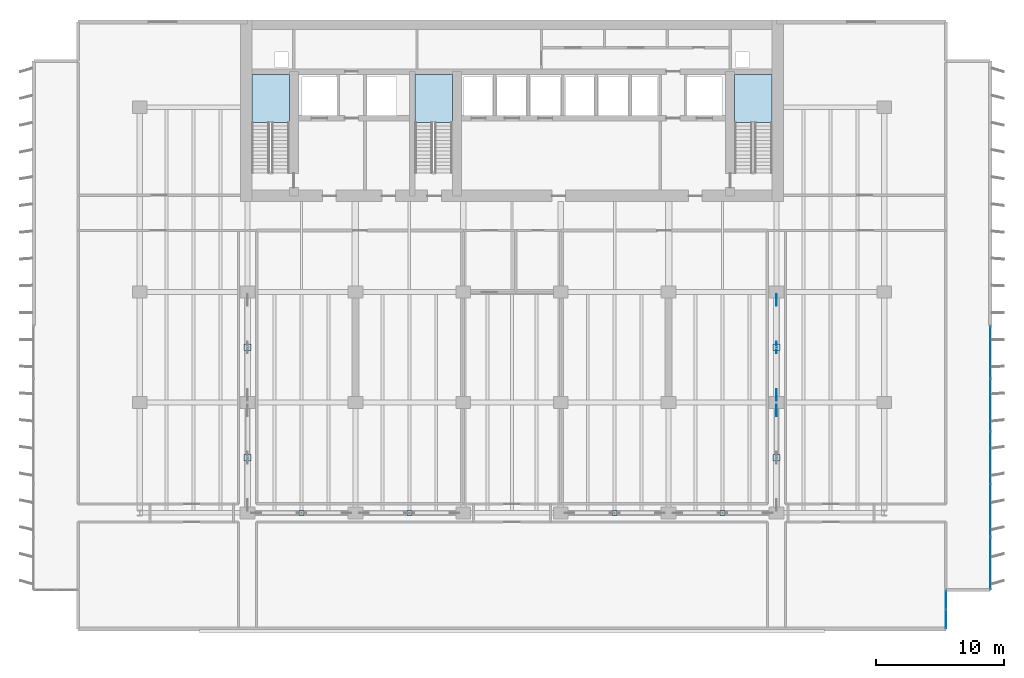
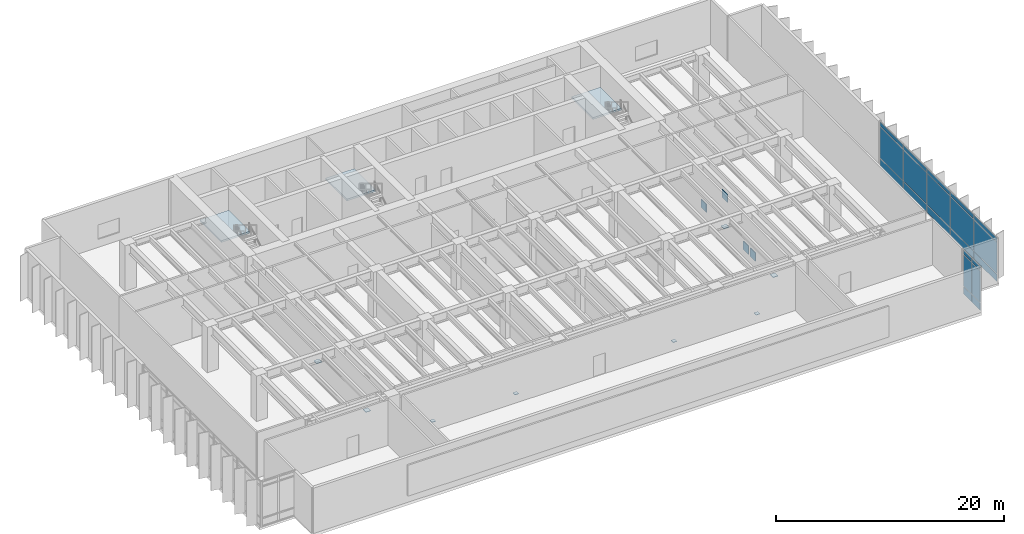
# One storey, part 13 of 21: 33 plates, 3 slabs, 5 elements without a shape of their own.
"""IFC4 building model written with IfcOpenShell, lengths in metres."""

import ifcopenshell
import ifcopenshell.guid

model = None  # the IFC model being written
_history = None  # IfcOwnerHistory: only IFC2X3 demands one
_inside = {}  # id of a spatial element -> (the spatial element, [elements in it])
_under = {}  # id of a project, library or spatial element -> (it, [spatial elements below it])
_declared = {}  # id of a project -> (the project, [libraries it declares])
_typed = {}  # id of a type object -> (the type object, [elements of that type])
_made_of = {}  # id of a material, layer set ... -> (it, [elements and type objects made of it])


def new_model(schema):
    """Start an empty IFC model of exactly this schema.

    Asked for "IFC4X3", IfcOpenShell would pick the latest addendum, in which some entities
    have other attributes; the version numbers below select the first issue.
    IFC2X3 requires an IfcOwnerHistory on every rooted entity: one is made here for all.
    """
    global model, _history
    if schema == "IFC4X3":
        model = ifcopenshell.file(schema_version=(4, 3, 0, 0))
    else:
        model = ifcopenshell.file(schema=schema)
    _inside.clear()
    _under.clear()
    _declared.clear()
    _typed.clear()
    _made_of.clear()
    _history = None
    if model.schema == "IFC2X3":
        org = make("IfcOrganization", Name="unknown")
        user = make(
            "IfcPersonAndOrganization",
            ThePerson=make("IfcPerson", FamilyName="unknown"),
            TheOrganization=org,
        )
        app = make(
            "IfcApplication",
            ApplicationDeveloper=org,
            Version="unknown",
            ApplicationFullName="unknown",
            ApplicationIdentifier="unknown",
        )
        _history = make(
            "IfcOwnerHistory",
            OwningUser=user,
            OwningApplication=app,
            ChangeAction="ADDED",
            CreationDate=0,
        )
    return model


def make(cls, **values):
    """One entity of the class cls with the attributes given. An attribute that is None is left unset."""
    return model.create_entity(
        cls, **{name: value for name, value in values.items() if value is not None}
    )


def rooted(cls, **values):
    """An entity with a GlobalId (a new one), such as an element, a storey or a relation."""
    return make(cls, GlobalId=ifcopenshell.guid.new(), OwnerHistory=_history, **values)


def si_unit(unit_type, name, prefix=None):
    """IfcSIUnit, for example si_unit("LENGTHUNIT", "METRE", prefix="MILLI")."""
    return make("IfcSIUnit", UnitType=unit_type, Prefix=prefix, Name=name)


def assignment(units):
    """IfcUnitAssignment: the units of a project."""
    return None if units is None else make("IfcUnitAssignment", Units=units)


def point(xyz):
    """IfcCartesianPoint."""
    return None if xyz is None else make("IfcCartesianPoint", Coordinates=xyz)


def direction(xyz):
    """IfcDirection."""
    return None if xyz is None else make("IfcDirection", DirectionRatios=xyz)


def frame(location, z_axis=None, x_axis=None):
    """IfcAxis2Placement3D, a coordinate frame: its origin and axes. An axis left out is left unset."""
    return make(
        "IfcAxis2Placement3D",
        Location=point(location),
        Axis=direction(z_axis),
        RefDirection=direction(x_axis),
    )


def frame_2d(location, x_axis=None):
    """IfcAxis2Placement2D, a coordinate frame in the plane: its origin and x axis."""
    return make(
        "IfcAxis2Placement2D", Location=point(location), RefDirection=direction(x_axis)
    )


def origin():
    """The frame at (0, 0, 0) with its axes left unset."""
    return frame((0.0, 0.0, 0.0))


def origin_2d():
    """The frame at (0, 0) in the plane with its x axis left unset."""
    return frame_2d((0.0, 0.0))


def place(relative_to, where):
    """IfcLocalPlacement: puts the frame where relative to a parent placement (None: the world)."""
    return make(
        "IfcLocalPlacement", PlacementRelTo=relative_to, RelativePlacement=where
    )


def context(
    kind, dimensions, precision=None, world=None, true_north=None, identifier=None
):
    """IfcGeometricRepresentationContext, for example the 3D "Model" context."""
    return make(
        "IfcGeometricRepresentationContext",
        ContextIdentifier=identifier,
        ContextType=kind,
        CoordinateSpaceDimension=dimensions,
        Precision=precision,
        WorldCoordinateSystem=world,
        TrueNorth=true_north,
    )


def subcontext(parent, identifier, kind, view, scale=None):
    """IfcGeometricRepresentationSubContext, for example "Body" below "Model"."""
    return make(
        "IfcGeometricRepresentationSubContext",
        ContextIdentifier=identifier,
        ContextType=kind,
        ParentContext=parent,
        TargetScale=scale,
        TargetView=view,
    )


def project(units=None, contexts=None):
    """IfcProject with its units and contexts."""
    return rooted(
        "IfcProject",
        Name="project",
        RepresentationContexts=contexts,
        UnitsInContext=assignment(units),
    )


def spatial(cls, under=None, at=None, **own):
    """A site, building, storey or space (cls), placed at a placement, below another one or the project."""
    s = rooted(cls, ObjectPlacement=at, **own)
    if under is not None:
        _under.setdefault(under.id(), (under, []))[1].append(s)
    return s


def polyline(points):
    """IfcPolyline through the points."""
    return make("IfcPolyline", Points=[point(p) for p in points])


def profile(cls, at=None, kind="AREA", **sizes):
    """A parametric profile (cls). Its sizes go by their IFC names, for example OverallWidth=200.0."""
    return make(cls, ProfileType=kind, Position=at, **sizes)


def rectangle(**sizes):
    """IfcRectangleProfileDef."""
    return profile("IfcRectangleProfileDef", **sizes)


def outline(outer, holes=None, kind="AREA"):
    """IfcArbitraryClosedProfileDef: a profile drawn as a closed curve; with holes, ...WithVoids."""
    if holes is None:
        return make("IfcArbitraryClosedProfileDef", ProfileType=kind, OuterCurve=outer)
    return make(
        "IfcArbitraryProfileDefWithVoids",
        ProfileType=kind,
        OuterCurve=outer,
        InnerCurves=holes,
    )


def extrude(swept, where, along, depth):
    """IfcExtrudedAreaSolid: the profile swept, set in the frame where, extruded along a direction by depth."""
    return make(
        "IfcExtrudedAreaSolid",
        SweptArea=swept,
        Position=where,
        ExtrudedDirection=direction(along),
        Depth=depth,
    )


def shape(context_of_items, identifier, shape_type, items):
    """IfcShapeRepresentation: the items that make up one representation, for example the "Body"."""
    return make(
        "IfcShapeRepresentation",
        ContextOfItems=context_of_items,
        RepresentationIdentifier=identifier,
        RepresentationType=shape_type,
        Items=items,
    )


def material(Name=None, Category=None):
    """IfcMaterial."""
    return make("IfcMaterial", Name=Name, Category=Category)


def layer(
    of_material, thickness, ventilated=None, Name=None, Category=None, Priority=None
):
    """IfcMaterialLayer: one layer of a wall or slab, of a material (None: an air gap)."""
    return make(
        "IfcMaterialLayer",
        Material=of_material,
        LayerThickness=thickness,
        IsVentilated=ventilated,
        Name=Name,
        Category=Category,
        Priority=Priority,
    )


def layer_set(layers, Name=None):
    """IfcMaterialLayerSet."""
    return make("IfcMaterialLayerSet", MaterialLayers=layers, LayerSetName=Name)


def made_of(thing, what):
    """Note that an element or type object is made of a material, layer set ...; save() writes the relation."""
    if what is not None:
        _made_of.setdefault(what.id(), (what, []))[1].append(thing)
    return thing


def type_object(cls, material=None, **own):
    """A type object (cls), such as IfcWallType, which elements share."""
    return made_of(rooted(cls, **own), material)


def element(
    cls,
    number,
    at=None,
    inside=None,
    cuts=None,
    type_object=None,
    material=None,
    context=None,
    identifier="Body",
    shape_type=None,
    held_by="IfcProductDefinitionShape",
    body=None,
    shapes=None,
    **own,
):
    """One element of the class cls, such as IfcWall. Its Tag is "e" and its number.

    at: its placement. inside: the storey or other place that contains it. cuts: it is an
    opening in that element (IfcRelVoidsElement). A single representation is given by context,
    identifier, shape_type and body (its items); several are given by shapes. held_by: the class
    of the entity that holds the representations. save() writes the other relations.
    """
    e = rooted(cls, Tag="e%d" % number, ObjectPlacement=at, **own)
    if body is not None:
        shapes = [shape(context, identifier, shape_type, body)]
    if shapes is not None:
        e.Representation = make(held_by, Representations=shapes)
    if inside is not None:
        _inside.setdefault(inside.id(), (inside, []))[1].append(e)
    if cuts is not None:
        rooted(
            "IfcRelVoidsElement", RelatingBuildingElement=cuts, RelatedOpeningElement=e
        )
    if type_object is not None:
        _typed.setdefault(type_object.id(), (type_object, []))[1].append(e)
    return made_of(e, material)


def aggregate(whole, parts):
    """IfcRelAggregates: a whole, such as a stair, and the parts it consists of."""
    return rooted("IfcRelAggregates", RelatingObject=whole, RelatedObjects=parts)


def save(model, path):
    """Write the relations noted so far, then the file.

    IfcRelAggregates (storeys below a building ...), IfcRelContainedInSpatialStructure (elements
    in a storey), IfcRelDefinesByType, IfcRelAssociatesMaterial and IfcRelDeclares: one each for
    every whole, place, type object, material and project.
    """
    for whole, parts in _under.values():
        aggregate(whole, parts)
    for where, things in _inside.values():
        rooted(
            "IfcRelContainedInSpatialStructure",
            RelatedElements=things,
            RelatingStructure=where,
        )
    for kind, things in _typed.values():
        rooted("IfcRelDefinesByType", RelatedObjects=things, RelatingType=kind)
    for what, things in _made_of.values():
        rooted("IfcRelAssociatesMaterial", RelatedObjects=things, RelatingMaterial=what)
    for by, libraries in _declared.values():
        rooted("IfcRelDeclares", RelatingContext=by, RelatedDefinitions=libraries)
    model.write(path)


model = new_model("IFC4")

# Units and contexts
model_context = context("Model", 3, precision=1e-05, world=origin(), true_north=direction((0.0, 1.0)))
body_context = subcontext(model_context, "Body", "Model", "MODEL_VIEW")
ifc_project = project(units=[si_unit("LENGTHUNIT", "METRE"), si_unit("AREAUNIT", "SQUARE_METRE"), si_unit("VOLUMEUNIT", "CUBIC_METRE"), si_unit("PLANEANGLEUNIT", "RADIAN"), si_unit("MASSUNIT", "GRAM", prefix="KILO")], contexts=[model_context])

# Site, building, storey
site_placement = place(None, origin())
site = spatial("IfcSite", under=ifc_project, at=site_placement, CompositionType="ELEMENT")
building_placement = place(site_placement, origin())
building = spatial("IfcBuilding", under=site, at=building_placement, Name="Caelmar Bay Residences", CompositionType="ELEMENT")
storey_placement = place(building_placement, frame((0.0, 0.0, 79.5)))
storey = spatial("IfcBuildingStorey", under=building, at=storey_placement, Name="L21", CompositionType="ELEMENT", Elevation=79.5)

# Curtain wall, plates
ifc_material_1 = material(Name="Anodised bronze aluminium 6063-T6 and laminated glass", Category="aluminium")
ifc_layer_1 = layer(ifc_material_1, 0.179931640625)
ifc_layer_set_1 = layer_set([ifc_layer_1], Name="Anodised bronze aluminium 6063-T6 and laminated glass")
curtain_wall_type_1 = type_object("IfcCurtainWallType", Name="CW6-NTC", PredefinedType="NOTDEFINED", material=ifc_layer_set_1)
curtain_wall_1_placement = place(storey_placement, origin())
curtain_wall_1 = element("IfcCurtainWall", 1, at=curtain_wall_1_placement, inside=storey, type_object=curtain_wall_type_1, Name="CW6 curtain wall L21", PredefinedType="NOTDEFINED")
ifc_material_2 = material(Name="Bronze-tinted laminated low-E hurricane glass 28 mm", Category="glass")
ifc_layer_2 = layer(ifc_material_2, 0.028076171875)
ifc_layer_set_2 = layer_set([ifc_layer_2], Name="Bronze-tinted laminated low-E hurricane glass 28 mm")
plate_type_1 = type_object("IfcPlateType", Name="CWP-GLZ28", PredefinedType="CURTAIN_PANEL", material=ifc_layer_set_2)
plate_1_placement = place(storey_placement, frame((72.699951171875, 3.9326171875, 0.080078125), z_axis=(0.0, 0.0, 1.0), x_axis=(0.0, 1.0, 0.0)))
plate_1 = element("IfcPlate", 2, at=plate_1_placement, type_object=plate_type_1, Name="CW6 panel 1.1", PredefinedType="CURTAIN_PANEL", context=body_context, shape_type="SweptSolid", body=[
    extrude(rectangle(XDim=1.405029296875, YDim=0.028076171875, at=origin_2d()), origin(), (0.0, 0.0, 1.0), 0.780029296875),
])
plate_2_placement = place(storey_placement, frame((72.699951171875, 3.9326171875, 0.93994140625), z_axis=(0.0, 0.0, 1.0), x_axis=(0.0, 1.0, 0.0)))
plate_2 = element("IfcPlate", 3, at=plate_2_placement, type_object=plate_type_1, Name="CW6 panel 1.2", PredefinedType="CURTAIN_PANEL", context=body_context, shape_type="SweptSolid", body=[
    extrude(rectangle(XDim=1.405029296875, YDim=0.028076171875, at=origin_2d()), origin(), (0.0, 0.0, 1.0), 3.320068359375),
])
plate_3_placement = place(storey_placement, frame((72.699951171875, 3.9326171875, 4.33984375), z_axis=(0.0, 0.0, 1.0), x_axis=(0.0, 1.0, 0.0)))
plate_3 = element("IfcPlate", 4, at=plate_3_placement, type_object=plate_type_1, Name="CW6 panel 1.3", PredefinedType="CURTAIN_PANEL", context=body_context, shape_type="SweptSolid", body=[
    extrude(rectangle(XDim=1.405029296875, YDim=0.028076171875, at=origin_2d()), origin(), (0.0, 0.0, 1.0), 0.429931640625),
])
plate_4_placement = place(storey_placement, frame((72.699951171875, 5.41748046875, 0.080078125), z_axis=(0.0, 0.0, 1.0), x_axis=(0.0, 1.0, 0.0)))
plate_4 = element("IfcPlate", 5, at=plate_4_placement, type_object=plate_type_1, Name="CW6 panel 2.1", PredefinedType="CURTAIN_PANEL", context=body_context, shape_type="SweptSolid", body=[
    extrude(rectangle(XDim=1.405029296875, YDim=0.028076171875, at=origin_2d()), origin(), (0.0, 0.0, 1.0), 0.780029296875),
])
plate_5_placement = place(storey_placement, frame((72.699951171875, 5.41748046875, 0.93994140625), z_axis=(0.0, 0.0, 1.0), x_axis=(0.0, 1.0, 0.0)))
plate_5 = element("IfcPlate", 6, at=plate_5_placement, type_object=plate_type_1, Name="CW6 panel 2.2", PredefinedType="CURTAIN_PANEL", context=body_context, shape_type="SweptSolid", body=[
    extrude(rectangle(XDim=1.405029296875, YDim=0.028076171875, at=origin_2d()), origin(), (0.0, 0.0, 1.0), 3.320068359375),
])
plate_6_placement = place(storey_placement, frame((72.699951171875, 5.41748046875, 4.33984375), z_axis=(0.0, 0.0, 1.0), x_axis=(0.0, 1.0, 0.0)))
plate_6 = element("IfcPlate", 7, at=plate_6_placement, type_object=plate_type_1, Name="CW6 panel 2.3", PredefinedType="CURTAIN_PANEL", context=body_context, shape_type="SweptSolid", body=[
    extrude(rectangle(XDim=1.405029296875, YDim=0.028076171875, at=origin_2d()), origin(), (0.0, 0.0, 1.0), 0.429931640625),
])
aggregate(curtain_wall_1, [plate_1, plate_2, plate_3, plate_4, plate_5, plate_6])

ifc_layer_3 = layer(ifc_material_1, 0.179931640625)
ifc_layer_set_3 = layer_set([ifc_layer_3], Name="Anodised bronze aluminium 6063-T6 and laminated glass")
curtain_wall_type_2 = type_object("IfcCurtainWallType", Name="CW2-Z1", PredefinedType="NOTDEFINED", material=ifc_layer_set_3)
curtain_wall_2_placement = place(storey_placement, origin())
curtain_wall_2 = element("IfcCurtainWall", 8, at=curtain_wall_2_placement, inside=storey, type_object=curtain_wall_type_2, Name="CW2 curtain wall L21", PredefinedType="NOTDEFINED")
plate_7_placement = place(storey_placement, frame((76.14990234375, 24.719970703125, 0.080078125), z_axis=(0.0, 0.0, 1.0), x_axis=(0.0, -1.0, 0.0)))
plate_7 = element("IfcPlate", 9, at=plate_7_placement, type_object=plate_type_1, Name="CW2 panel 1.1", PredefinedType="CURTAIN_PANEL", context=body_context, shape_type="SweptSolid", body=[
    extrude(rectangle(XDim=4.0, YDim=0.028076171875, at=origin_2d()), origin(), (0.0, 0.0, 1.0), 0.780029296875),
])
plate_8_placement = place(storey_placement, frame((76.14990234375, 24.719970703125, 0.93994140625), z_axis=(0.0, 0.0, 1.0), x_axis=(0.0, -1.0, 0.0)))
plate_8 = element("IfcPlate", 10, at=plate_8_placement, type_object=plate_type_1, Name="CW2 panel 1.2", PredefinedType="CURTAIN_PANEL", context=body_context, shape_type="SweptSolid", body=[
    extrude(rectangle(XDim=4.0, YDim=0.028076171875, at=origin_2d()), origin(), (0.0, 0.0, 1.0), 3.320068359375),
])
plate_9_placement = place(storey_placement, frame((76.14990234375, 24.719970703125, 4.33984375), z_axis=(0.0, 0.0, 1.0), x_axis=(0.0, -1.0, 0.0)))
plate_9 = element("IfcPlate", 11, at=plate_9_placement, type_object=plate_type_1, Name="CW2 panel 1.3", PredefinedType="CURTAIN_PANEL", context=body_context, shape_type="SweptSolid", body=[
    extrude(rectangle(XDim=4.0, YDim=0.028076171875, at=origin_2d()), origin(), (0.0, 0.0, 1.0), 0.429931640625),
])
plate_10_placement = place(storey_placement, frame((76.14990234375, 20.6201171875, 0.080078125), z_axis=(0.0, 0.0, 1.0), x_axis=(0.0, -1.0, 0.0)))
plate_10 = element("IfcPlate", 12, at=plate_10_placement, type_object=plate_type_1, Name="CW2 panel 2.1", PredefinedType="CURTAIN_PANEL", context=body_context, shape_type="SweptSolid", body=[
    extrude(rectangle(XDim=4.0400390625, YDim=0.028076171875, at=origin_2d()), origin(), (0.0, 0.0, 1.0), 0.780029296875),
])
plate_11_placement = place(storey_placement, frame((76.14990234375, 20.6201171875, 0.93994140625), z_axis=(0.0, 0.0, 1.0), x_axis=(0.0, -1.0, 0.0)))
plate_11 = element("IfcPlate", 13, at=plate_11_placement, type_object=plate_type_1, Name="CW2 panel 2.2", PredefinedType="CURTAIN_PANEL", context=body_context, shape_type="SweptSolid", body=[
    extrude(rectangle(XDim=4.0400390625, YDim=0.028076171875, at=origin_2d()), origin(), (0.0, 0.0, 1.0), 3.320068359375),
])
plate_12_placement = place(storey_placement, frame((76.14990234375, 20.6201171875, 4.33984375), z_axis=(0.0, 0.0, 1.0), x_axis=(0.0, -1.0, 0.0)))
plate_12 = element("IfcPlate", 14, at=plate_12_placement, type_object=plate_type_1, Name="CW2 panel 2.3", PredefinedType="CURTAIN_PANEL", context=body_context, shape_type="SweptSolid", body=[
    extrude(rectangle(XDim=4.0400390625, YDim=0.028076171875, at=origin_2d()), origin(), (0.0, 0.0, 1.0), 0.429931640625),
])
plate_13_placement = place(storey_placement, frame((76.14990234375, 16.5, 0.080078125), z_axis=(0.0, 0.0, 1.0), x_axis=(0.0, -1.0, 0.0)))
plate_13 = element("IfcPlate", 15, at=plate_13_placement, type_object=plate_type_1, Name="CW2 panel 3.1", PredefinedType="CURTAIN_PANEL", context=body_context, shape_type="SweptSolid", body=[
    extrude(rectangle(XDim=4.0400390625, YDim=0.028076171875, at=origin_2d()), origin(), (0.0, 0.0, 1.0), 0.780029296875),
])
plate_14_placement = place(storey_placement, frame((76.14990234375, 16.5, 0.93994140625), z_axis=(0.0, 0.0, 1.0), x_axis=(0.0, -1.0, 0.0)))
plate_14 = element("IfcPlate", 16, at=plate_14_placement, type_object=plate_type_1, Name="CW2 panel 3.2", PredefinedType="CURTAIN_PANEL", context=body_context, shape_type="SweptSolid", body=[
    extrude(rectangle(XDim=4.0400390625, YDim=0.028076171875, at=origin_2d()), origin(), (0.0, 0.0, 1.0), 3.320068359375),
])
plate_15_placement = place(storey_placement, frame((76.14990234375, 16.5, 4.33984375), z_axis=(0.0, 0.0, 1.0), x_axis=(0.0, -1.0, 0.0)))
plate_15 = element("IfcPlate", 17, at=plate_15_placement, type_object=plate_type_1, Name="CW2 panel 3.3", PredefinedType="CURTAIN_PANEL", context=body_context, shape_type="SweptSolid", body=[
    extrude(rectangle(XDim=4.0400390625, YDim=0.028076171875, at=origin_2d()), origin(), (0.0, 0.0, 1.0), 0.429931640625),
])
plate_16_placement = place(storey_placement, frame((76.14990234375, 12.3798828125, 0.080078125), z_axis=(0.0, 0.0, 1.0), x_axis=(0.0, -1.0, 0.0)))
plate_16 = element("IfcPlate", 18, at=plate_16_placement, type_object=plate_type_1, Name="CW2 panel 4.1", PredefinedType="CURTAIN_PANEL", context=body_context, shape_type="SweptSolid", body=[
    extrude(rectangle(XDim=4.0400390625, YDim=0.028076171875, at=origin_2d()), origin(), (0.0, 0.0, 1.0), 0.780029296875),
])
plate_17_placement = place(storey_placement, frame((76.14990234375, 12.3798828125, 0.93994140625), z_axis=(0.0, 0.0, 1.0), x_axis=(0.0, -1.0, 0.0)))
plate_17 = element("IfcPlate", 19, at=plate_17_placement, type_object=plate_type_1, Name="CW2 panel 4.2", PredefinedType="CURTAIN_PANEL", context=body_context, shape_type="SweptSolid", body=[
    extrude(rectangle(XDim=4.0400390625, YDim=0.028076171875, at=origin_2d()), origin(), (0.0, 0.0, 1.0), 3.320068359375),
])
plate_18_placement = place(storey_placement, frame((76.14990234375, 12.3798828125, 4.33984375), z_axis=(0.0, 0.0, 1.0), x_axis=(0.0, -1.0, 0.0)))
plate_18 = element("IfcPlate", 20, at=plate_18_placement, type_object=plate_type_1, Name="CW2 panel 4.3", PredefinedType="CURTAIN_PANEL", context=body_context, shape_type="SweptSolid", body=[
    extrude(rectangle(XDim=4.0400390625, YDim=0.028076171875, at=origin_2d()), origin(), (0.0, 0.0, 1.0), 0.429931640625),
])
plate_19_placement = place(storey_placement, frame((76.14990234375, 8.280029296875, 0.080078125), z_axis=(0.0, 0.0, 1.0), x_axis=(0.0, -1.0, 0.0)))
plate_19 = element("IfcPlate", 21, at=plate_19_placement, type_object=plate_type_1, Name="CW2 panel 5.1", PredefinedType="CURTAIN_PANEL", context=body_context, shape_type="SweptSolid", body=[
    extrude(rectangle(XDim=4.0, YDim=0.028076171875, at=origin_2d()), origin(), (0.0, 0.0, 1.0), 0.780029296875),
])
plate_20_placement = place(storey_placement, frame((76.14990234375, 8.280029296875, 0.93994140625), z_axis=(0.0, 0.0, 1.0), x_axis=(0.0, -1.0, 0.0)))
plate_20 = element("IfcPlate", 22, at=plate_20_placement, type_object=plate_type_1, Name="CW2 panel 5.2", PredefinedType="CURTAIN_PANEL", context=body_context, shape_type="SweptSolid", body=[
    extrude(rectangle(XDim=4.0, YDim=0.028076171875, at=origin_2d()), origin(), (0.0, 0.0, 1.0), 3.320068359375),
])
plate_21_placement = place(storey_placement, frame((76.14990234375, 8.280029296875, 4.33984375), z_axis=(0.0, 0.0, 1.0), x_axis=(0.0, -1.0, 0.0)))
plate_21 = element("IfcPlate", 23, at=plate_21_placement, type_object=plate_type_1, Name="CW2 panel 5.3", PredefinedType="CURTAIN_PANEL", context=body_context, shape_type="SweptSolid", body=[
    extrude(rectangle(XDim=4.0, YDim=0.028076171875, at=origin_2d()), origin(), (0.0, 0.0, 1.0), 0.429931640625),
])
aggregate(curtain_wall_2, [plate_7, plate_8, plate_9, plate_10, plate_11, plate_12, plate_13, plate_14, plate_15, plate_16, plate_17, plate_18, plate_19, plate_20, plate_21])

# Plates
ifc_material_3 = material(Name="Steel ASTM A572 Grade 50", Category="steel")
ifc_layer_4 = layer(ifc_material_3, 0.044921875)
ifc_layer_set_4 = layer_set([ifc_layer_4], Name="Steel ASTM A572 Grade 50")
plate_type_2 = type_object("IfcPlateType", Name="PLT-CAP-45", PredefinedType="USERDEFINED", material=ifc_layer_set_4)
for number, where, z_axis, x_axis, name in (
    (24, (22.5, 12.199951171875, 0.37646484375), (0.0, 0.0, 1.0), (1.0, 0.0, 0.0), "L21 Hollow-Section End-Cap Plate PLT-BLT-L21-01B"),
    (25, (30.89990234375, 12.199951171875, 0.37646484375), (0.0, 0.0, 1.0), (1.0, 0.0, 0.0), "L21 Hollow-Section End-Cap Plate PLT-BLT-L21-02B"),
    (26, (46.89990234375, 12.199951171875, 0.37646484375), (0.0, 0.0, 1.0), (1.0, 0.0, 0.0), "L21 Hollow-Section End-Cap Plate PLT-BLT-L21-03B"),
    (27, (55.300048828125, 12.199951171875, 0.37646484375), (0.0, 0.0, 1.0), (1.0, 0.0, 0.0), "L21 Hollow-Section End-Cap Plate PLT-BLT-L21-04B"),
):
    element("IfcPlate", number, at=place(storey_placement, frame(where, z_axis=z_axis, x_axis=x_axis)), inside=storey, type_object=plate_type_2, Name=name, ObjectType="CAP_PLATE", PredefinedType="USERDEFINED", context=body_context, shape_type="SweptSolid", body=[
        extrude(rectangle(XDim=0.3798828125, YDim=0.3798828125, at=origin_2d()), origin(), (0.0, 0.0, 1.0), 0.044921875),
    ])
ifc_layer_5 = layer(ifc_material_3, 0.050048828125)
ifc_layer_set_5 = layer_set([ifc_layer_5], Name="Steel ASTM A572 Grade 50")
plate_type_3 = type_object("IfcPlateType", Name="PLT-CAP-50", PredefinedType="USERDEFINED", material=ifc_layer_set_5)
for number, where, z_axis, x_axis, name in (
    (28, (18.300048828125, 16.5, 0.3740234375), (0.0, 0.0, 1.0), (1.0, 0.0, 0.0), "L21 Hollow-Section End-Cap Plate PLT-OUT-L21-01B"),
    (29, (18.300048828125, 25.10009765625, 0.3740234375), (0.0, 0.0, 1.0), (1.0, 0.0, 0.0), "L21 Hollow-Section End-Cap Plate PLT-OUT-L21-02B"),
    (30, (59.5, 16.5, 0.3740234375), (0.0, 0.0, 1.0), (1.0, 0.0, 0.0), "L21 Hollow-Section End-Cap Plate PLT-OUT-L21-03B"),
    (31, (59.5, 25.10009765625, 0.3740234375), (0.0, 0.0, 1.0), (1.0, 0.0, 0.0), "L21 Hollow-Section End-Cap Plate PLT-OUT-L21-04B"),
):
    element("IfcPlate", number, at=place(storey_placement, frame(where, z_axis=z_axis, x_axis=x_axis)), inside=storey, type_object=plate_type_3, Name=name, ObjectType="CAP_PLATE", PredefinedType="USERDEFINED", context=body_context, shape_type="SweptSolid", body=[
        extrude(rectangle(XDim=0.52001953125, YDim=0.52001953125, at=origin_2d()), origin(), (0.0, 0.0, 1.0), 0.050048828125),
    ])
ifc_layer_6 = layer(ifc_material_3, 0.06005859375)
ifc_layer_set_6 = layer_set([ifc_layer_6], Name="Steel ASTM A572 Grade 50")
plate_type_4 = type_object("IfcPlateType", Name="PLT-GUS-60", PredefinedType="USERDEFINED", material=ifc_layer_set_6)
for number, where, z_axis, x_axis, name in (
    (32, (59.5, 20.195068359375, -0.070068359375), (0.0, 0.0, 1.0), (0.0, 1.0, 0.0), "L21 Structural Node Gusset Plate PLT-OUT-L21-03N"),
    (33, (59.5, 21.405029296875, -0.070068359375), (0.0, 0.0, 1.0), (0.0, 1.0, 0.0), "L21 Structural Node Gusset Plate PLT-OUT-L21-04S"),
    (34, (59.5, 28.794921875, -0.070068359375), (0.0, 0.0, 1.0), (0.0, 1.0, 0.0), "L21 Structural Node Gusset Plate PLT-OUT-L21-04N"),
    (35, (59.5, 25.10009765625, 3.234130859375), (0.0, 0.0, 1.0), (0.0, 1.0, 0.0), "L21 Structural Node Gusset Plate PLT-OUT-L21-04T"),
):
    element("IfcPlate", number, at=place(storey_placement, frame(where, z_axis=z_axis, x_axis=x_axis)), inside=storey, type_object=plate_type_4, Name=name, ObjectType="GUSSET_PLATE", PredefinedType="USERDEFINED", context=body_context, shape_type="SweptSolid", body=[
        extrude(rectangle(XDim=0.89990234375, YDim=0.06005859375, at=origin_2d()), origin(), (0.0, 0.0, 1.0), 0.89990234375),
    ])

# Stair, slab
ifc_material_4 = material(Name="Concrete f'c 40 MPa (6,000 psi)", Category="concrete")
stair_type = type_object("IfcStairType", Name="ST-TAL-170", PredefinedType="HALF_TURN_STAIR", material=ifc_material_4)
stair_1_placement = place(storey_placement, origin())
stair_1 = element("IfcStair", 36, at=stair_1_placement, inside=storey, type_object=stair_type, Name="L21 West Smokeproof Exit Stair ST1", PredefinedType="HALF_TURN_STAIR")
ifc_layer_7 = layer(ifc_material_4, 0.199951171875)
ifc_layer_set_7 = layer_set([ifc_layer_7], Name="Concrete f'c 40 MPa (6,000 psi)")
slab_type = type_object("IfcSlabType", Name="SLB-LND-200", PredefinedType="LANDING", material=ifc_layer_set_7)
slab_1_placement = place(storey_placement, frame((0.0, 0.0, 2.35009765625)))
slab_1 = element("IfcSlab", 37, at=slab_1_placement, type_object=slab_type, Name="ST1 landing 1", PredefinedType="LANDING", context=body_context, shape_type="SweptSolid", body=[
    extrude(outline(polyline([(21.550048828125, 42.6201171875), (21.550048828125, 46.35009765625), (18.64990234375, 46.35009765625), (18.64990234375, 42.6201171875), (21.550048828125, 42.6201171875)])), origin(), (0.0, 0.0, 1.0), 0.199951171875),
])
aggregate(stair_1, [slab_1])

stair_2_placement = place(storey_placement, origin())
stair_2 = element("IfcStair", 38, at=stair_2_placement, inside=storey, type_object=stair_type, Name="L21 East Smokeproof Exit Stair ST2", PredefinedType="HALF_TURN_STAIR")
slab_2_placement = place(storey_placement, frame((0.0, 0.0, 2.35009765625)))
slab_2 = element("IfcSlab", 39, at=slab_2_placement, type_object=slab_type, Name="ST2 landing 1", PredefinedType="LANDING", context=body_context, shape_type="SweptSolid", body=[
    extrude(outline(polyline([(59.14990234375, 42.6201171875), (59.14990234375, 46.35009765625), (56.25, 46.35009765625), (56.25, 42.6201171875), (59.14990234375, 42.6201171875)])), origin(), (0.0, 0.0, 1.0), 0.199951171875),
])
aggregate(stair_2, [slab_2])

stair_3_placement = place(storey_placement, origin())
stair_3 = element("IfcStair", 40, at=stair_3_placement, inside=storey, type_object=stair_type, Name="L21 Central Smokeproof Exit Stair ST3", PredefinedType="HALF_TURN_STAIR")
slab_3_placement = place(storey_placement, frame((0.0, 0.0, 2.35009765625)))
slab_3 = element("IfcSlab", 41, at=slab_3_placement, type_object=slab_type, Name="ST3 landing 1", PredefinedType="LANDING", context=body_context, shape_type="SweptSolid", body=[
    extrude(outline(polyline([(34.25, 42.6201171875), (34.25, 46.35009765625), (31.35009765625, 46.35009765625), (31.35009765625, 42.6201171875), (34.25, 42.6201171875)])), origin(), (0.0, 0.0, 1.0), 0.199951171875),
])
aggregate(stair_3, [slab_3])

save(model, "model.ifc")
